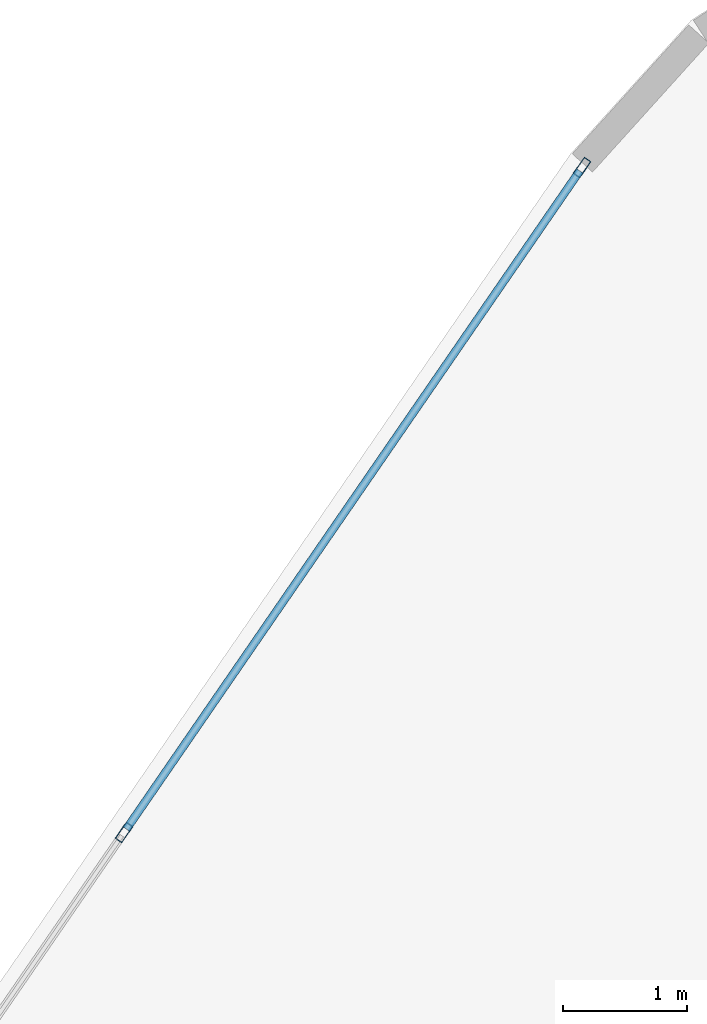
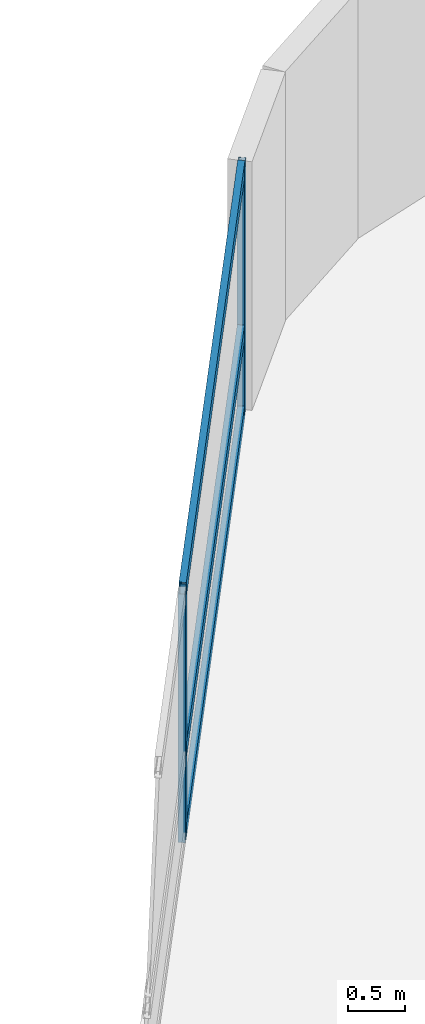
# One storey, part 15 of 24: 5 members, 1 element without a shape of its own.
"""IFC4 building model written with IfcOpenShell, lengths in metres."""

import ifcopenshell
import ifcopenshell.guid

model = None  # the IFC model being written
_history = None  # IfcOwnerHistory: only IFC2X3 demands one
_inside = {}  # id of a spatial element -> (the spatial element, [elements in it])
_under = {}  # id of a project, library or spatial element -> (it, [spatial elements below it])
_declared = {}  # id of a project -> (the project, [libraries it declares])
_typed = {}  # id of a type object -> (the type object, [elements of that type])
_made_of = {}  # id of a material, layer set ... -> (it, [elements and type objects made of it])


def new_model(schema):
    """Start an empty IFC model of exactly this schema.

    Asked for "IFC4X3", IfcOpenShell would pick the latest addendum, in which some entities
    have other attributes; the version numbers below select the first issue.
    IFC2X3 requires an IfcOwnerHistory on every rooted entity: one is made here for all.
    """
    global model, _history
    if schema == "IFC4X3":
        model = ifcopenshell.file(schema_version=(4, 3, 0, 0))
    else:
        model = ifcopenshell.file(schema=schema)
    _inside.clear()
    _under.clear()
    _declared.clear()
    _typed.clear()
    _made_of.clear()
    _history = None
    if model.schema == "IFC2X3":
        org = make("IfcOrganization", Name="unknown")
        user = make(
            "IfcPersonAndOrganization",
            ThePerson=make("IfcPerson", FamilyName="unknown"),
            TheOrganization=org,
        )
        app = make(
            "IfcApplication",
            ApplicationDeveloper=org,
            Version="unknown",
            ApplicationFullName="unknown",
            ApplicationIdentifier="unknown",
        )
        _history = make(
            "IfcOwnerHistory",
            OwningUser=user,
            OwningApplication=app,
            ChangeAction="ADDED",
            CreationDate=0,
        )
    return model


def make(cls, **values):
    """One entity of the class cls with the attributes given. An attribute that is None is left unset."""
    return model.create_entity(
        cls, **{name: value for name, value in values.items() if value is not None}
    )


def rooted(cls, **values):
    """An entity with a GlobalId (a new one), such as an element, a storey or a relation."""
    return make(cls, GlobalId=ifcopenshell.guid.new(), OwnerHistory=_history, **values)


def si_unit(unit_type, name, prefix=None):
    """IfcSIUnit, for example si_unit("LENGTHUNIT", "METRE", prefix="MILLI")."""
    return make("IfcSIUnit", UnitType=unit_type, Prefix=prefix, Name=name)


def assignment(units):
    """IfcUnitAssignment: the units of a project."""
    return None if units is None else make("IfcUnitAssignment", Units=units)


def point(xyz):
    """IfcCartesianPoint."""
    return None if xyz is None else make("IfcCartesianPoint", Coordinates=xyz)


def direction(xyz):
    """IfcDirection."""
    return None if xyz is None else make("IfcDirection", DirectionRatios=xyz)


def frame(location, z_axis=None, x_axis=None):
    """IfcAxis2Placement3D, a coordinate frame: its origin and axes. An axis left out is left unset."""
    return make(
        "IfcAxis2Placement3D",
        Location=point(location),
        Axis=direction(z_axis),
        RefDirection=direction(x_axis),
    )


def frame_2d(location, x_axis=None):
    """IfcAxis2Placement2D, a coordinate frame in the plane: its origin and x axis."""
    return make(
        "IfcAxis2Placement2D", Location=point(location), RefDirection=direction(x_axis)
    )


def origin():
    """The frame at (0, 0, 0) with its axes left unset."""
    return frame((0.0, 0.0, 0.0))


def origin_2d():
    """The frame at (0, 0) in the plane with its x axis left unset."""
    return frame_2d((0.0, 0.0))


def place(relative_to, where):
    """IfcLocalPlacement: puts the frame where relative to a parent placement (None: the world)."""
    return make(
        "IfcLocalPlacement", PlacementRelTo=relative_to, RelativePlacement=where
    )


def context(
    kind, dimensions, precision=None, world=None, true_north=None, identifier=None
):
    """IfcGeometricRepresentationContext, for example the 3D "Model" context."""
    return make(
        "IfcGeometricRepresentationContext",
        ContextIdentifier=identifier,
        ContextType=kind,
        CoordinateSpaceDimension=dimensions,
        Precision=precision,
        WorldCoordinateSystem=world,
        TrueNorth=true_north,
    )


def subcontext(parent, identifier, kind, view, scale=None):
    """IfcGeometricRepresentationSubContext, for example "Body" below "Model"."""
    return make(
        "IfcGeometricRepresentationSubContext",
        ContextIdentifier=identifier,
        ContextType=kind,
        ParentContext=parent,
        TargetScale=scale,
        TargetView=view,
    )


def project(units=None, contexts=None):
    """IfcProject with its units and contexts."""
    return rooted(
        "IfcProject",
        Name="project",
        RepresentationContexts=contexts,
        UnitsInContext=assignment(units),
    )


def spatial(cls, under=None, at=None, **own):
    """A site, building, storey or space (cls), placed at a placement, below another one or the project."""
    s = rooted(cls, ObjectPlacement=at, **own)
    if under is not None:
        _under.setdefault(under.id(), (under, []))[1].append(s)
    return s


def profile(cls, at=None, kind="AREA", **sizes):
    """A parametric profile (cls). Its sizes go by their IFC names, for example OverallWidth=200.0."""
    return make(cls, ProfileType=kind, Position=at, **sizes)


def hollow_rectangle(**sizes):
    """IfcRectangleHollowProfileDef."""
    return profile("IfcRectangleHollowProfileDef", **sizes)


def extrude(swept, where, along, depth):
    """IfcExtrudedAreaSolid: the profile swept, set in the frame where, extruded along a direction by depth."""
    return make(
        "IfcExtrudedAreaSolid",
        SweptArea=swept,
        Position=where,
        ExtrudedDirection=direction(along),
        Depth=depth,
    )


def shape(context_of_items, identifier, shape_type, items):
    """IfcShapeRepresentation: the items that make up one representation, for example the "Body"."""
    return make(
        "IfcShapeRepresentation",
        ContextOfItems=context_of_items,
        RepresentationIdentifier=identifier,
        RepresentationType=shape_type,
        Items=items,
    )


def material(Name=None, Category=None):
    """IfcMaterial."""
    return make("IfcMaterial", Name=Name, Category=Category)


def layer(
    of_material, thickness, ventilated=None, Name=None, Category=None, Priority=None
):
    """IfcMaterialLayer: one layer of a wall or slab, of a material (None: an air gap)."""
    return make(
        "IfcMaterialLayer",
        Material=of_material,
        LayerThickness=thickness,
        IsVentilated=ventilated,
        Name=Name,
        Category=Category,
        Priority=Priority,
    )


def layer_set(layers, Name=None):
    """IfcMaterialLayerSet."""
    return make("IfcMaterialLayerSet", MaterialLayers=layers, LayerSetName=Name)


def material_profile(
    of_material, cross_section, Name=None, Category=None, Priority=None
):
    """IfcMaterialProfile: a cross section and its material."""
    return make(
        "IfcMaterialProfile",
        Name=Name,
        Material=of_material,
        Profile=cross_section,
        Priority=Priority,
        Category=Category,
    )


def profile_set(profiles, Name=None, composite=None):
    """IfcMaterialProfileSet."""
    return make(
        "IfcMaterialProfileSet",
        Name=Name,
        MaterialProfiles=profiles,
        CompositeProfile=composite,
    )


def made_of(thing, what):
    """Note that an element or type object is made of a material, layer set ...; save() writes the relation."""
    if what is not None:
        _made_of.setdefault(what.id(), (what, []))[1].append(thing)
    return thing


def type_object(cls, material=None, **own):
    """A type object (cls), such as IfcWallType, which elements share."""
    return made_of(rooted(cls, **own), material)


def element(
    cls,
    number,
    at=None,
    inside=None,
    cuts=None,
    type_object=None,
    material=None,
    context=None,
    identifier="Body",
    shape_type=None,
    held_by="IfcProductDefinitionShape",
    body=None,
    shapes=None,
    **own,
):
    """One element of the class cls, such as IfcWall. Its Tag is "e" and its number.

    at: its placement. inside: the storey or other place that contains it. cuts: it is an
    opening in that element (IfcRelVoidsElement). A single representation is given by context,
    identifier, shape_type and body (its items); several are given by shapes. held_by: the class
    of the entity that holds the representations. save() writes the other relations.
    """
    e = rooted(cls, Tag="e%d" % number, ObjectPlacement=at, **own)
    if body is not None:
        shapes = [shape(context, identifier, shape_type, body)]
    if shapes is not None:
        e.Representation = make(held_by, Representations=shapes)
    if inside is not None:
        _inside.setdefault(inside.id(), (inside, []))[1].append(e)
    if cuts is not None:
        rooted(
            "IfcRelVoidsElement", RelatingBuildingElement=cuts, RelatedOpeningElement=e
        )
    if type_object is not None:
        _typed.setdefault(type_object.id(), (type_object, []))[1].append(e)
    return made_of(e, material)


def aggregate(whole, parts):
    """IfcRelAggregates: a whole, such as a stair, and the parts it consists of."""
    return rooted("IfcRelAggregates", RelatingObject=whole, RelatedObjects=parts)


def save(model, path):
    """Write the relations noted so far, then the file.

    IfcRelAggregates (storeys below a building ...), IfcRelContainedInSpatialStructure (elements
    in a storey), IfcRelDefinesByType, IfcRelAssociatesMaterial and IfcRelDeclares: one each for
    every whole, place, type object, material and project.
    """
    for whole, parts in _under.values():
        aggregate(whole, parts)
    for where, things in _inside.values():
        rooted(
            "IfcRelContainedInSpatialStructure",
            RelatedElements=things,
            RelatingStructure=where,
        )
    for kind, things in _typed.values():
        rooted("IfcRelDefinesByType", RelatedObjects=things, RelatingType=kind)
    for what, things in _made_of.values():
        rooted("IfcRelAssociatesMaterial", RelatedObjects=things, RelatingMaterial=what)
    for by, libraries in _declared.values():
        rooted("IfcRelDeclares", RelatingContext=by, RelatedDefinitions=libraries)
    model.write(path)


model = new_model("IFC4")

# Units and contexts
model_context = context("Model", 3, precision=1e-05, world=origin(), true_north=direction((0.0, 1.0)))
body_context = subcontext(model_context, "Body", "Model", "MODEL_VIEW")
ifc_project = project(units=[si_unit("LENGTHUNIT", "METRE"), si_unit("AREAUNIT", "SQUARE_METRE"), si_unit("VOLUMEUNIT", "CUBIC_METRE"), si_unit("PLANEANGLEUNIT", "RADIAN"), si_unit("MASSUNIT", "GRAM", prefix="KILO")], contexts=[model_context])

# Site, building, storey
site_placement = place(None, origin())
site = spatial("IfcSite", under=ifc_project, at=site_placement, CompositionType="ELEMENT")
building_placement = place(site_placement, origin())
building = spatial("IfcBuilding", under=site, at=building_placement, Name="Varnelok Gate Tower", CompositionType="ELEMENT")
storey_placement = place(building_placement, frame((0.0, 0.0, 67.699951171875)))
storey = spatial("IfcBuildingStorey", under=building, at=storey_placement, Name="L16", CompositionType="ELEMENT", Elevation=67.699951171875)

# Curtain wall, members
ifc_material = material(Name="Anodized Aluminum Alloy 6063-T6", Category="aluminium")
ifc_layer = layer(ifc_material, 0.179931640625)
ifc_layer_set = layer_set([ifc_layer], Name="Anodized Aluminum Alloy 6063-T6")
curtain_wall_type = type_object("IfcCurtainWallType", Name="CW3-HOTEL-VISION", PredefinedType="USERDEFINED", material=ifc_layer_set)
curtain_wall_placement = place(storey_placement, origin())
curtain_wall = element("IfcCurtainWall", 1, at=curtain_wall_placement, inside=storey, type_object=curtain_wall_type, Name="L16 West End Vision Curtain Wall", ObjectType="UNITISED CURTAIN WALL", PredefinedType="USERDEFINED")
ifc_material_profile_1 = material_profile(ifc_material, hollow_rectangle(XDim=0.06494140625, YDim=0.159912109375, WallThickness=0.00390625, at=origin_2d()), Name="ALU160X65X4")
ifc_profile_set_1 = profile_set([ifc_material_profile_1], Name="Anodized Aluminum Alloy 6063-T6")
member_type_1 = type_object("IfcMemberType", Name="CW-MULL-160", PredefinedType="MULLION", material=ifc_profile_set_1)
member_1_placement = place(storey_placement, frame((14.48291015625, 58.273193359375, 0.0), z_axis=(0.0, 0.0, 1.0), x_axis=(-0.823532685111, 0.567268822124, 0.0)))
member_1 = element("IfcMember", 2, at=member_1_placement, type_object=member_type_1, Name="CW3 mullion 6", PredefinedType="MULLION", context=body_context, shape_type="SweptSolid", body=[
    extrude(hollow_rectangle(XDim=0.06494140625, YDim=0.159912109375, WallThickness=0.00390625, at=origin_2d()), origin(), (0.0, 0.0, 1.0), 2.66015625),
])
member_2_placement = place(storey_placement, frame((18.189453125, 63.654296875, 0.0), z_axis=(0.0, 0.0, 1.0), x_axis=(-0.823532685111, 0.567268822124, 0.0)))
member_2 = element("IfcMember", 3, at=member_2_placement, type_object=member_type_1, Name="CW3 mullion 7", PredefinedType="MULLION", context=body_context, shape_type="SweptSolid", body=[
    extrude(hollow_rectangle(XDim=0.06494140625, YDim=0.159912109375, WallThickness=0.00390625, at=origin_2d()), origin(), (0.0, 0.0, 1.0), 2.66015625),
])
ifc_material_profile_2 = material_profile(ifc_material, hollow_rectangle(XDim=0.06494140625, YDim=0.159912109375, WallThickness=0.00390625, at=origin_2d()), Name="ALU160X65X4")
ifc_profile_set_2 = profile_set([ifc_material_profile_2], Name="Anodized Aluminum Alloy 6063-T6")
member_type_2 = type_object("IfcMemberType", Name="CW-TRAN-160", PredefinedType="USERDEFINED", material=ifc_profile_set_2)
member_3_placement = place(storey_placement, frame((14.50146484375, 58.300048828125, 0.032470703125), z_axis=(0.567255754851, 0.823541686006, 0.0), x_axis=(-0.823541686006, 0.567255754851, 0.0)))
member_3 = element("IfcMember", 4, at=member_3_placement, type_object=member_type_2, Name="CW3 transom 6.1", ObjectType="TRANSOM", PredefinedType="USERDEFINED", context=body_context, shape_type="SweptSolid", body=[
    extrude(hollow_rectangle(XDim=0.06494140625, YDim=0.159912109375, WallThickness=0.00390625, at=origin_2d()), origin(), (0.0, 0.0, 1.0), 6.46923828125),
])
member_4_placement = place(storey_placement, frame((14.50146484375, 58.300048828125, 0.900146484375), z_axis=(0.567255754851, 0.823541686006, 0.0), x_axis=(-0.823541686006, 0.567255754851, 0.0)))
member_4 = element("IfcMember", 5, at=member_4_placement, type_object=member_type_2, Name="CW3 transom 6.2", ObjectType="TRANSOM", PredefinedType="USERDEFINED", context=body_context, shape_type="SweptSolid", body=[
    extrude(hollow_rectangle(XDim=0.06494140625, YDim=0.159912109375, WallThickness=0.00390625, at=origin_2d()), origin(), (0.0, 0.0, 1.0), 6.46923828125),
])
member_5_placement = place(storey_placement, frame((14.50146484375, 58.300048828125, 2.62744140625), z_axis=(0.567255754851, 0.823541686006, 0.0), x_axis=(-0.823541686006, 0.567255754851, 0.0)))
member_5 = element("IfcMember", 6, at=member_5_placement, type_object=member_type_2, Name="CW3 transom 6.3", ObjectType="TRANSOM", PredefinedType="USERDEFINED", context=body_context, shape_type="SweptSolid", body=[
    extrude(hollow_rectangle(XDim=0.06494140625, YDim=0.159912109375, WallThickness=0.00390625, at=origin_2d()), origin(), (0.0, 0.0, 1.0), 6.46923828125),
])
aggregate(curtain_wall, [member_1, member_2, member_3, member_4, member_5])

save(model, "model.ifc")
